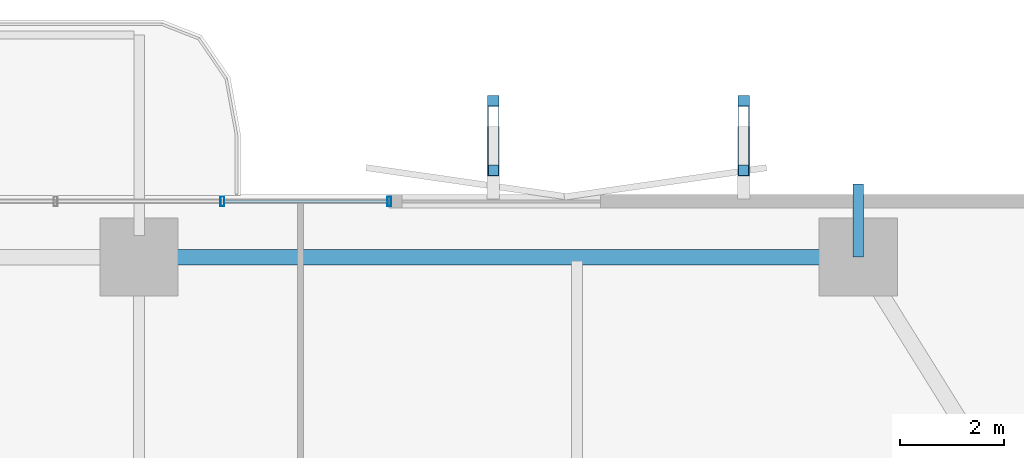
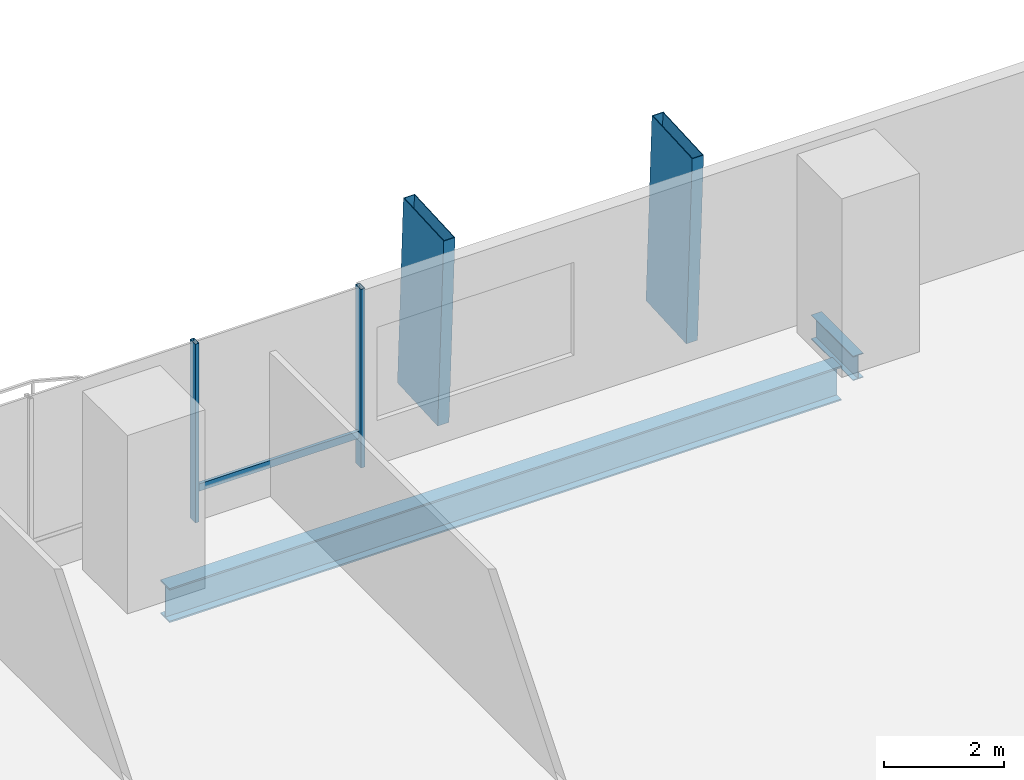
# One storey, part 15 of 24: 5 members, 2 beams, 1 element without a shape of its own.
"""IFC4 building model written with IfcOpenShell, lengths in metres."""

from ifc_helpers import new_model, si_unit, direction, frame, origin, origin_2d, place, context, subcontext, project, spatial, hollow_rectangle, i_section, extrude, material, layer, layer_set, material_profile, profile_set, type_object, element, aggregate, save


model = new_model("IFC4")

# Units and contexts
model_context = context("Model", 3, precision=1e-05, world=origin(), true_north=direction((0.0, 1.0)))
body_context = subcontext(model_context, "Body", "Model", "MODEL_VIEW")
ifc_project = project(units=[si_unit("LENGTHUNIT", "METRE"), si_unit("AREAUNIT", "SQUARE_METRE"), si_unit("VOLUMEUNIT", "CUBIC_METRE"), si_unit("PLANEANGLEUNIT", "RADIAN"), si_unit("MASSUNIT", "GRAM", prefix="KILO")], contexts=[model_context])

# Site, building, storey
site_placement = place(None, origin())
site = spatial("IfcSite", under=ifc_project, at=site_placement, CompositionType="ELEMENT")
building_placement = place(site_placement, origin())
building = spatial("IfcBuilding", under=site, at=building_placement, Name="Belovzor Exchange Tower", CompositionType="ELEMENT")
storey_placement = place(building_placement, frame((0.0, 0.0, 72.89990234375)))
storey = spatial("IfcBuildingStorey", under=building, at=storey_placement, Name="L17", CompositionType="ELEMENT", Elevation=72.89990234375)

# Members
ifc_material_1 = material(Name="Extruded Architectural Terracotta on Steel S355 Carrier", Category="masonry")
ifc_material_profile_1 = material_profile(ifc_material_1, hollow_rectangle(XDim=0.219970703125, YDim=1.35009765625, WallThickness=0.013916015625, at=origin_2d()))
ifc_profile_set_1 = profile_set([ifc_material_profile_1], Name="Extruded Architectural Terracotta on Steel S355 Carrier")
member_type_1 = type_object("IfcMemberType", Name="Base Arc Sweeping Terracotta Pylon Fin 1450", PredefinedType="USERDEFINED", material=ifc_profile_set_1)
for number, where, z_axis, x_axis, name in (
    (1, (35.60009765625, 57.927001953125, -0.25), (0.0, -0.051449765599, 0.998675583771), (1.0, 0.0, 0.0), "FIN-TC145 Terracotta Facade Fin L17 N3"),
    (2, (40.39990234375, 57.927001953125, -0.25), (0.0, -0.051449765599, 0.998675583771), (1.0, 0.0, 0.0), "FIN-TC145 Terracotta Facade Fin L17 N4"),
):
    element("IfcMember", number, at=place(storey_placement, frame(where, z_axis=z_axis, x_axis=x_axis)), inside=storey, type_object=member_type_1, Name=name, ObjectType="FIN", PredefinedType="USERDEFINED", context=body_context, shape_type="SweptSolid", body=[
        extrude(hollow_rectangle(XDim=0.219970703125, YDim=1.35009765625, WallThickness=0.013916015625, at=origin_2d()), origin(), (0.0, 0.0, 1.0), 3.9052734375),
    ])

# Beam
ifc_material_2 = material(Name="Steel S355", Category="steel")
ifc_material_profile_2 = material_profile(ifc_material_2, i_section(OverallWidth=0.199951171875, OverallDepth=0.5, WebThickness=0.01025390625, FlangeThickness=0.01611328125, at=origin_2d()))
ifc_profile_set_2 = profile_set([ifc_material_profile_2], Name="Steel S355")
beam_type_1 = type_object("IfcBeamType", Name="Planted Balcony Cantilever Beam IPE 500", PredefinedType="BEAM", material=ifc_profile_set_2)
beam_1_placement = place(storey_placement, frame((42.60009765625, 55.5, -0.5), z_axis=(0.0, 1.0, 0.0), x_axis=(-1.0, 0.0, 0.0)))
element("IfcBeam", 3, at=beam_1_placement, inside=storey, type_object=beam_type_1, Name="BC-500 Planted Balcony Cantilever Beam IPE 500", PredefinedType="BEAM", context=body_context, shape_type="SweptSolid", body=[
    extrude(i_section(OverallWidth=0.199951171875, OverallDepth=0.5, WebThickness=0.01025390625, FlangeThickness=0.01611328125, at=origin_2d()), origin(), (0.0, 0.0, 1.0), 1.39990234375),
])

# Curtain wall, members
ifc_material_3 = material(Name="Anodised Aluminium Framing", Category="aluminium")
ifc_layer = layer(ifc_material_3, 0.179931640625)
ifc_layer_set = layer_set([ifc_layer], Name="Anodised Aluminium Framing")
curtain_wall_type = type_object("IfcCurtainWallType", Name="Recessed Loggia Low-Iron Triple-Glazed Curtain Wall", PredefinedType="NOTDEFINED", material=ifc_layer_set)
curtain_wall_placement = place(storey_placement, origin())
curtain_wall = element("IfcCurtainWall", 4, at=curtain_wall_placement, inside=storey, type_object=curtain_wall_type, Name="CW3 Recessed Loggia Low-Iron Triple-Glazed Curtain Wall L17", PredefinedType="NOTDEFINED")
ifc_material_4 = material(Name="Steel S355", Category="steel")
ifc_material_profile_3 = material_profile(ifc_material_4, hollow_rectangle(XDim=0.074951171875, YDim=0.179931640625, WallThickness=0.0048828125, at=origin_2d()))
ifc_profile_set_3 = profile_set([ifc_material_profile_3], Name="Steel S355")
member_type_2 = type_object("IfcMemberType", Name="Thermally Broken Curtain Wall Mullion 180x75", PredefinedType="MULLION", material=ifc_profile_set_3)
member_1_placement = place(storey_placement, frame((30.39990234375, 56.570068359375, 0.0), z_axis=(0.0, 0.0, 1.0), x_axis=(1.0, 0.0, 0.0)))
member_1 = element("IfcMember", 5, at=member_1_placement, type_object=member_type_2, Name="CW-M180 Curtain Wall Mullion 3", PredefinedType="MULLION", context=body_context, shape_type="SweptSolid", body=[
    extrude(hollow_rectangle(XDim=0.074951171875, YDim=0.179931640625, WallThickness=0.0048828125, at=origin_2d()), origin(), (0.0, 0.0, 1.0), 3.650146484375),
])
member_2_placement = place(storey_placement, frame((33.60009765625, 56.570068359375, 0.0), z_axis=(0.0, 0.0, 1.0), x_axis=(1.0, 0.0, 0.0)))
member_2 = element("IfcMember", 6, at=member_2_placement, type_object=member_type_2, Name="CW-M180 Curtain Wall Mullion 4", PredefinedType="MULLION", context=body_context, shape_type="SweptSolid", body=[
    extrude(hollow_rectangle(XDim=0.074951171875, YDim=0.179931640625, WallThickness=0.0048828125, at=origin_2d()), origin(), (0.0, 0.0, 1.0), 3.650146484375),
])
ifc_material_5 = material(Name="Steel S355", Category="steel")
ifc_material_profile_4 = material_profile(ifc_material_5, hollow_rectangle(XDim=0.06005859375, YDim=0.14990234375, WallThickness=0.00390625, at=origin_2d()))
ifc_profile_set_4 = profile_set([ifc_material_profile_4], Name="Steel S355")
member_type_3 = type_object("IfcMemberType", Name="Thermally Broken Curtain Wall Transom 150x60", PredefinedType="USERDEFINED", material=ifc_profile_set_4)
member_3_placement = place(storey_placement, frame((30.407958984375, 56.570068359375, 0.650146484375), z_axis=(1.0, 0.0, 0.0), x_axis=(0.0, 1.0, 0.0)))
member_3 = element("IfcMember", 7, at=member_3_placement, type_object=member_type_3, Name="CW-T150 Curtain Wall Transom 3", ObjectType="TRANSOM", PredefinedType="USERDEFINED", context=body_context, shape_type="SweptSolid", body=[
    extrude(hollow_rectangle(XDim=0.06005859375, YDim=0.14990234375, WallThickness=0.00390625, at=origin_2d()), origin(), (0.0, 0.0, 1.0), 3.18408203125),
])
aggregate(curtain_wall, [member_1, member_2, member_3])

# Beam
ifc_material_6 = material(Name="Steel S355", Category="steel")
ifc_material_profile_5 = material_profile(ifc_material_6, i_section(OverallWidth=0.300048828125, OverallDepth=0.699951171875, WebThickness=0.01708984375, FlangeThickness=0.031982421875, at=origin_2d()))
ifc_profile_set_5 = profile_set([ifc_material_profile_5], Name="Steel S355")
beam_type_2 = type_object("IfcBeamType", Name="Zone 1 Primary Perimeter Girder HEB 700", PredefinedType="BEAM", material=ifc_profile_set_5)
beam_2_placement = place(storey_placement, frame((42.18798828125, 55.5, -0.599853515625), z_axis=(-1.0, 0.0, 0.0), x_axis=(0.0, -1.0, 0.0)))
element("IfcBeam", 8, at=beam_2_placement, inside=storey, type_object=beam_type_2, Name="FG-Z1 Zone 1 Primary Perimeter Girder HEB 700", PredefinedType="BEAM", context=body_context, shape_type="SweptSolid", body=[
    extrude(i_section(OverallWidth=0.300048828125, OverallDepth=0.699951171875, WebThickness=0.01708984375, FlangeThickness=0.031982421875, at=origin_2d()), origin(), (0.0, 0.0, 1.0), 12.97509765625),
])

save(model, "model.ifc")
